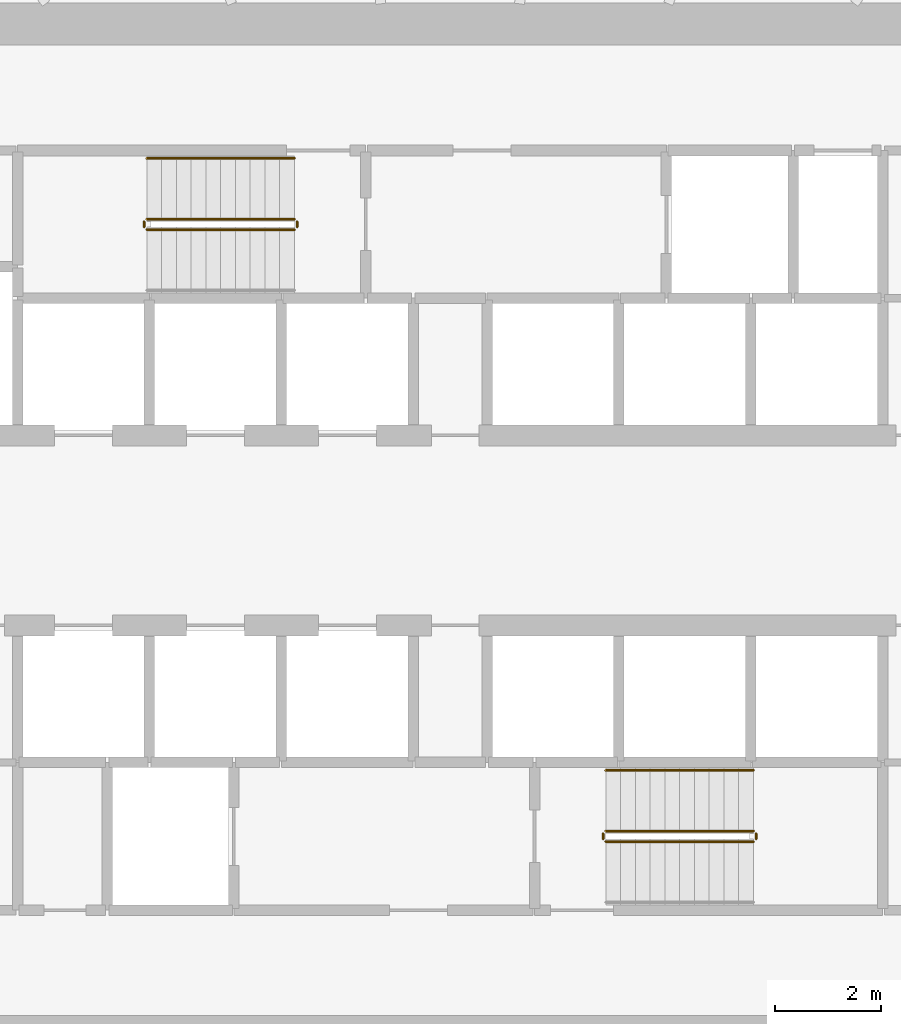
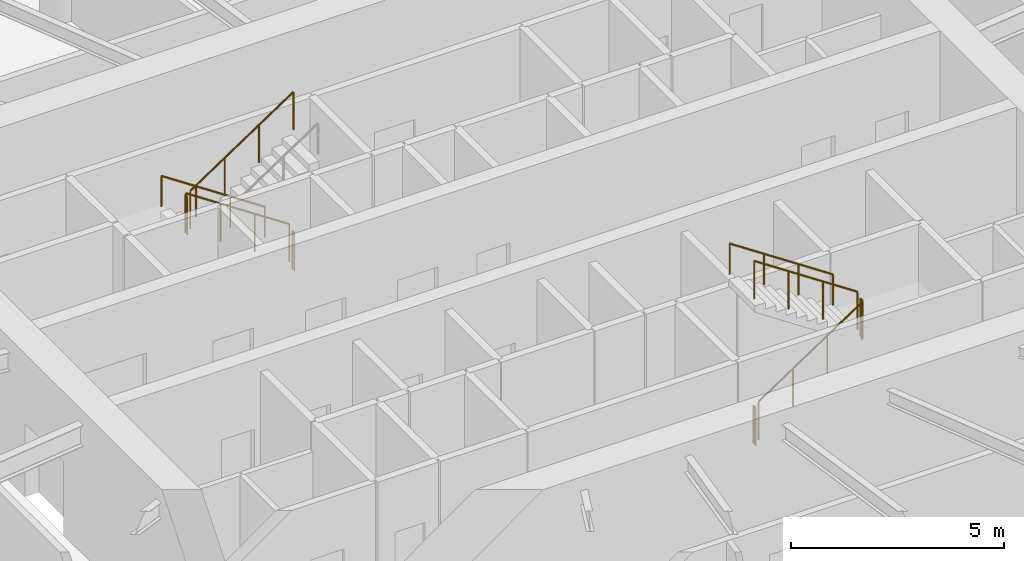
# One storey, part 16 of 17: 10 railings.
"""IFC4 building model written with IfcOpenShell, lengths in metres."""

from ifc_helpers import new_model, si_unit, direction, frame, origin, origin_2d, place, context, subcontext, project, spatial, circle, extrude, material, type_object, element, save


model = new_model("IFC4")

# Units and contexts
model_context = context("Model", 3, precision=1e-05, world=origin(), true_north=direction((0.0, 1.0)))
body_context = subcontext(model_context, "Body", "Model", "MODEL_VIEW")
ifc_project = project(units=[si_unit("LENGTHUNIT", "METRE"), si_unit("AREAUNIT", "SQUARE_METRE"), si_unit("VOLUMEUNIT", "CUBIC_METRE"), si_unit("PLANEANGLEUNIT", "RADIAN"), si_unit("MASSUNIT", "GRAM", prefix="KILO")], contexts=[model_context])

# Site, building, storey
site_placement = place(None, origin())
site = spatial("IfcSite", under=ifc_project, at=site_placement, CompositionType="ELEMENT")
building_placement = place(site_placement, origin())
building = spatial("IfcBuilding", under=site, at=building_placement, Name="Spindrift Exchange Tower", CompositionType="ELEMENT")
storey_placement = place(building_placement, frame((0.0, 0.0, 88.0)))
storey = spatial("IfcBuildingStorey", under=building, at=storey_placement, Name="L20", CompositionType="ELEMENT", Elevation=88.0)

# Railings
ifc_material_1 = material(Name="Steel balustrade", Category="steel")
railing_type_1 = type_object("IfcRailingType", Name="RL-STAIR-GUARD", PredefinedType="GUARDRAIL", material=ifc_material_1)
railing_1_placement = place(storey_placement, frame((49.050048828125, 53.89990234375, 0.186279296875)))
element("IfcRailing", 1, at=railing_1_placement, inside=storey, type_object=railing_type_1, Name="L20 ST1 stair guard 1", PredefinedType="GUARDRAIL", context=body_context, shape_type="SweptSolid", body=[
    extrude(circle(Radius=0.02392578125, at=origin_2d()), frame((0.0, 0.0, 1.076171875), z_axis=(-0.832452072856, 0.0, 0.554097055034), x_axis=(0.0, -1.0, 0.0)), (0.0, 0.0, 1.0), 3.363525390625),
    extrude(circle(Radius=0.02099609375, at=origin_2d()), origin(), (0.0, 0.0, 1.0), 1.052001953125),
    extrude(circle(Radius=0.02099609375, at=origin_2d()), frame((-0.933349609375, 0.0, 0.621337890625)), (0.0, 0.0, 1.0), 1.052001953125),
    extrude(circle(Radius=0.02099609375, at=origin_2d()), frame((-1.86669921875, 0.0, 1.242431640625)), (0.0, 0.0, 1.0), 1.052001953125),
    extrude(circle(Radius=0.02099609375, at=origin_2d()), frame((-2.800048828125, 0.0, 1.86376953125)), (0.0, 0.0, 1.0), 1.052001953125),
])
railing_2_placement = place(storey_placement, frame((46.199951171875, 53.85009765625, 2.050048828125)))
element("IfcRailing", 2, at=railing_2_placement, inside=storey, type_object=railing_type_1, Name="L20 ST1 stair guard 2", PredefinedType="GUARDRAIL", context=body_context, shape_type="SweptSolid", body=[
    extrude(circle(Radius=0.02392578125, at=origin_2d()), frame((0.0, 0.0, 1.076171875), z_axis=(0.0, -1.0, 0.0), x_axis=(1.0, 0.0, 0.0)), (0.0, 0.0, 1.0), 0.10009765625),
    extrude(circle(Radius=0.02099609375, at=origin_2d()), origin(), (0.0, 0.0, 1.0), 1.052001953125),
    extrude(circle(Radius=0.02099609375, at=origin_2d()), frame((0.0, -0.10009765625, 0.0)), (0.0, 0.0, 1.0), 1.052001953125),
])
railing_3_placement = place(storey_placement, frame((46.25, 53.699951171875, 2.236328125)))
element("IfcRailing", 3, at=railing_3_placement, inside=storey, type_object=railing_type_1, Name="L20 ST1 stair guard 3", PredefinedType="GUARDRAIL", context=body_context, shape_type="SweptSolid", body=[
    extrude(circle(Radius=0.02392578125, at=origin_2d()), frame((0.0, 0.0, 1.076171875), z_axis=(0.832452072856, 0.0, 0.554097055034), x_axis=(0.0, 1.0, 0.0)), (0.0, 0.0, 1.0), 3.363525390625),
    extrude(circle(Radius=0.02099609375, at=origin_2d()), origin(), (0.0, 0.0, 1.0), 1.052001953125),
    extrude(circle(Radius=0.02099609375, at=origin_2d()), frame((0.933349609375, 0.0, 0.621337890625)), (0.0, 0.0, 1.0), 1.052001953125),
    extrude(circle(Radius=0.02099609375, at=origin_2d()), frame((1.86669921875, 0.0, 1.242431640625)), (0.0, 0.0, 1.0), 1.052001953125),
    extrude(circle(Radius=0.02099609375, at=origin_2d()), frame((2.800048828125, 0.0, 1.86376953125)), (0.0, 0.0, 1.0), 1.052001953125),
])
railing_4_placement = place(storey_placement, frame((49.10009765625, 53.85009765625, 0.0)))
element("IfcRailing", 4, at=railing_4_placement, inside=storey, type_object=railing_type_1, Name="L20 ST1 stair guard 4", PredefinedType="GUARDRAIL", context=body_context, shape_type="SweptSolid", body=[
    extrude(circle(Radius=0.02392578125, at=origin_2d()), frame((0.0, 0.0, 1.076171875), z_axis=(0.0, -1.0, 0.0), x_axis=(1.0, 0.0, 0.0)), (0.0, 0.0, 1.0), 0.10009765625),
    extrude(circle(Radius=0.02099609375, at=origin_2d()), origin(), (0.0, 0.0, 1.0), 1.052001953125),
    extrude(circle(Radius=0.02099609375, at=origin_2d()), frame((0.0, -0.10009765625, 0.0)), (0.0, 0.0, 1.0), 1.052001953125),
])
railing_5_placement = place(storey_placement, frame((54.949951171875, 42.10009765625, 0.186279296875)))
element("IfcRailing", 5, at=railing_5_placement, inside=storey, type_object=railing_type_1, Name="L20 ST2 stair guard 1", PredefinedType="GUARDRAIL", context=body_context, shape_type="SweptSolid", body=[
    extrude(circle(Radius=0.02392578125, at=origin_2d()), frame((0.0, 0.0, 1.076171875), z_axis=(0.832452072856, 0.0, 0.554097055034), x_axis=(0.0, 1.0, 0.0)), (0.0, 0.0, 1.0), 3.363525390625),
    extrude(circle(Radius=0.02099609375, at=origin_2d()), origin(), (0.0, 0.0, 1.0), 1.052001953125),
    extrude(circle(Radius=0.02099609375, at=origin_2d()), frame((0.933349609375, 0.0, 0.621337890625)), (0.0, 0.0, 1.0), 1.052001953125),
    extrude(circle(Radius=0.02099609375, at=origin_2d()), frame((1.86669921875, 0.0, 1.242431640625)), (0.0, 0.0, 1.0), 1.052001953125),
    extrude(circle(Radius=0.02099609375, at=origin_2d()), frame((2.800048828125, 0.0, 1.86376953125)), (0.0, 0.0, 1.0), 1.052001953125),
])
railing_6_placement = place(storey_placement, frame((57.800048828125, 42.14990234375, 2.050048828125)))
element("IfcRailing", 6, at=railing_6_placement, inside=storey, type_object=railing_type_1, Name="L20 ST2 stair guard 2", PredefinedType="GUARDRAIL", context=body_context, shape_type="SweptSolid", body=[
    extrude(circle(Radius=0.02392578125, at=origin_2d()), frame((0.0, 0.0, 1.076171875), z_axis=(0.0, 1.0, 0.0), x_axis=(-1.0, 0.0, 0.0)), (0.0, 0.0, 1.0), 0.10009765625),
    extrude(circle(Radius=0.02099609375, at=origin_2d()), origin(), (0.0, 0.0, 1.0), 1.052001953125),
    extrude(circle(Radius=0.02099609375, at=origin_2d()), frame((0.0, 0.10009765625, 0.0)), (0.0, 0.0, 1.0), 1.052001953125),
])
railing_7_placement = place(storey_placement, frame((57.75, 42.300048828125, 2.236328125)))
element("IfcRailing", 7, at=railing_7_placement, inside=storey, type_object=railing_type_1, Name="L20 ST2 stair guard 3", PredefinedType="GUARDRAIL", context=body_context, shape_type="SweptSolid", body=[
    extrude(circle(Radius=0.02392578125, at=origin_2d()), frame((0.0, 0.0, 1.076171875), z_axis=(-0.832452072856, 0.0, 0.554097055034), x_axis=(0.0, -1.0, 0.0)), (0.0, 0.0, 1.0), 3.363525390625),
    extrude(circle(Radius=0.02099609375, at=origin_2d()), origin(), (0.0, 0.0, 1.0), 1.052001953125),
    extrude(circle(Radius=0.02099609375, at=origin_2d()), frame((-0.933349609375, 0.0, 0.621337890625)), (0.0, 0.0, 1.0), 1.052001953125),
    extrude(circle(Radius=0.02099609375, at=origin_2d()), frame((-1.86669921875, 0.0, 1.242431640625)), (0.0, 0.0, 1.0), 1.052001953125),
    extrude(circle(Radius=0.02099609375, at=origin_2d()), frame((-2.800048828125, 0.0, 1.86376953125)), (0.0, 0.0, 1.0), 1.052001953125),
])
railing_8_placement = place(storey_placement, frame((54.89990234375, 42.14990234375, 0.0)))
element("IfcRailing", 8, at=railing_8_placement, inside=storey, type_object=railing_type_1, Name="L20 ST2 stair guard 4", PredefinedType="GUARDRAIL", context=body_context, shape_type="SweptSolid", body=[
    extrude(circle(Radius=0.02392578125, at=origin_2d()), frame((0.0, 0.0, 1.076171875), z_axis=(0.0, 1.0, 0.0), x_axis=(-1.0, 0.0, 0.0)), (0.0, 0.0, 1.0), 0.10009765625),
    extrude(circle(Radius=0.02099609375, at=origin_2d()), origin(), (0.0, 0.0, 1.0), 1.052001953125),
    extrude(circle(Radius=0.02099609375, at=origin_2d()), frame((0.0, 0.10009765625, 0.0)), (0.0, 0.0, 1.0), 1.052001953125),
])
ifc_material_2 = material(Name="Steel tubular handrail", Category="steel")
railing_type_2 = type_object("IfcRailingType", Name="RL-STAIR-HAND", PredefinedType="HANDRAIL", material=ifc_material_2)
for number, where, name in (
    (9, (49.050048828125, 55.050048828125, 0.186279296875), "L20 ST1 stair handrail 1"),
    (10, (57.75, 43.449951171875, 2.236328125), "L20 ST2 stair handrail 2"),
):
    element("IfcRailing", number, at=place(storey_placement, frame(where)), inside=storey, type_object=railing_type_2, Name=name, PredefinedType="HANDRAIL", context=body_context, shape_type="SweptSolid", body=[
        extrude(circle(Radius=0.02392578125, at=origin_2d()), frame((0.0, 0.0, 0.8759765625), z_axis=(-0.832452072856, 0.0, 0.554097055034), x_axis=(0.0, -1.0, 0.0)), (0.0, 0.0, 1.0), 3.363525390625),
        extrude(circle(Radius=0.02099609375, at=origin_2d()), origin(), (0.0, 0.0, 1.0), 0.851806640625),
        extrude(circle(Radius=0.02099609375, at=origin_2d()), frame((-0.933349609375, 0.0, 0.621337890625)), (0.0, 0.0, 1.0), 0.851806640625),
        extrude(circle(Radius=0.02099609375, at=origin_2d()), frame((-1.86669921875, 0.0, 1.242431640625)), (0.0, 0.0, 1.0), 0.851806640625),
        extrude(circle(Radius=0.02099609375, at=origin_2d()), frame((-2.800048828125, 0.0, 1.86376953125)), (0.0, 0.0, 1.0), 0.851806640625),
    ])

save(model, "model.ifc")
